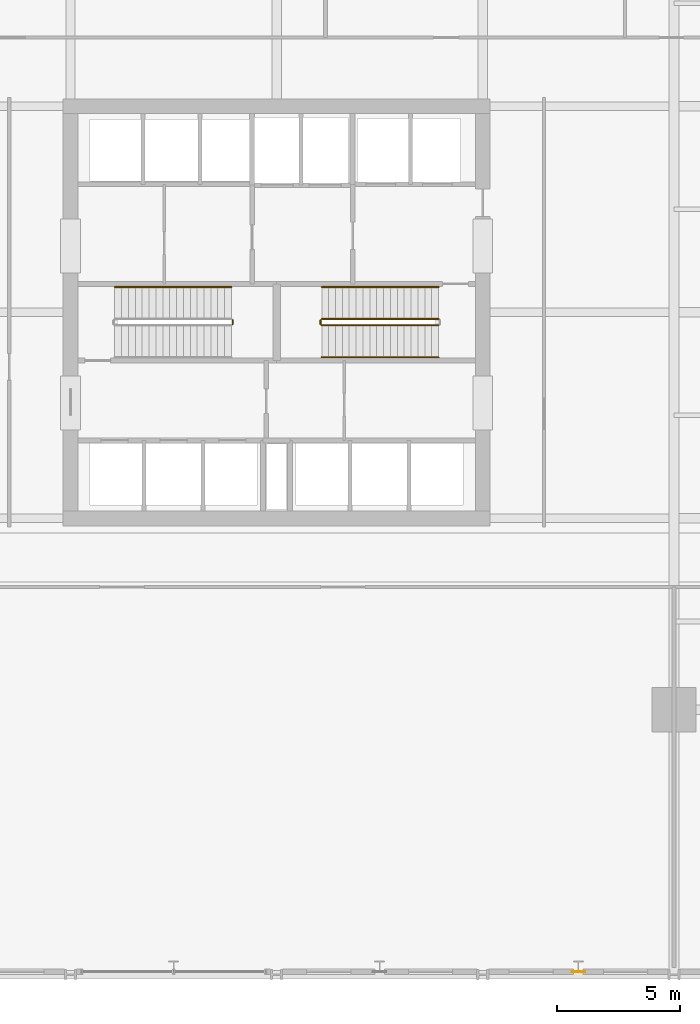
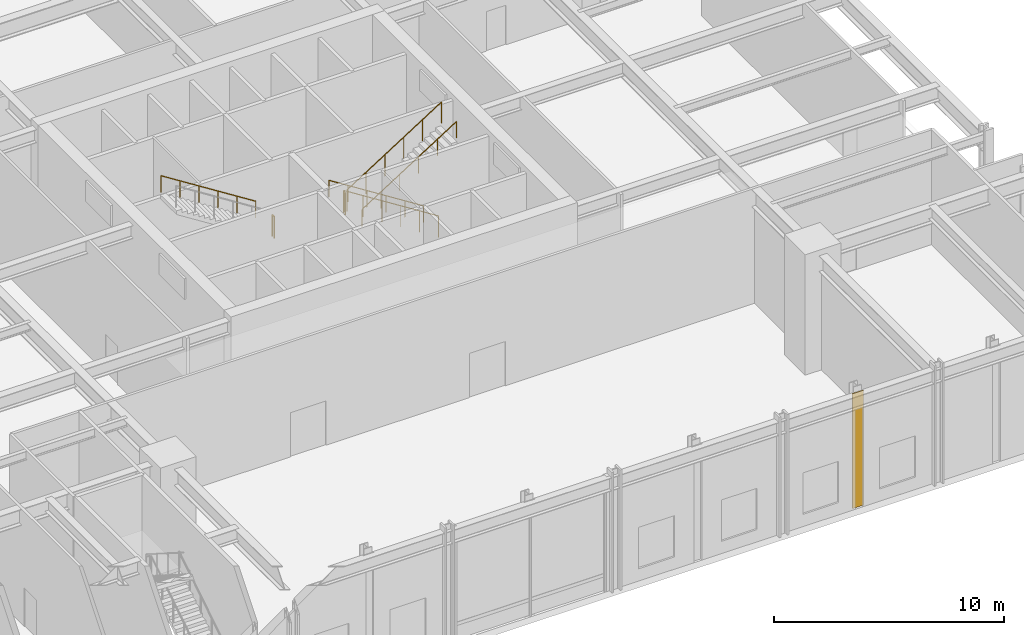
# One storey, part 16 of 20: 7 railings, 1 covering.
"""IFC4 building model written with IfcOpenShell, lengths in metres."""

from ifc_helpers import new_model, si_unit, direction, frame, origin, origin_2d, place, context, subcontext, project, spatial, rectangle, circle, extrude, material, layer, layer_set, type_object, element, save


model = new_model("IFC4")

# Units and contexts
model_context = context("Model", 3, precision=1e-05, world=origin(), true_north=direction((0.0, 1.0)))
body_context = subcontext(model_context, "Body", "Model", "MODEL_VIEW")
ifc_project = project(units=[si_unit("LENGTHUNIT", "METRE"), si_unit("AREAUNIT", "SQUARE_METRE"), si_unit("VOLUMEUNIT", "CUBIC_METRE"), si_unit("PLANEANGLEUNIT", "RADIAN"), si_unit("MASSUNIT", "GRAM", prefix="KILO")], contexts=[model_context])

# Site, building, storey
site_placement = place(None, origin())
site = spatial("IfcSite", under=ifc_project, at=site_placement, CompositionType="ELEMENT")
building_placement = place(site_placement, origin())
building = spatial("IfcBuilding", under=site, at=building_placement, Name="Drelvath Grand Hotel", CompositionType="ELEMENT")
storey_placement = place(building_placement, frame((0.0, 0.0, 10.800048828125)))
storey = spatial("IfcBuildingStorey", under=building, at=storey_placement, Name="L02", CompositionType="ELEMENT", Elevation=10.800048828125)

# Covering
ifc_material_1 = material(Name="Warm Bronze Anodised Aluminium Cladding", Category="aluminium")
ifc_layer = layer(ifc_material_1, 0.034912109375)
ifc_layer_set = layer_set([ifc_layer], Name="Warm Bronze Anodised Aluminium Cladding")
covering_type = type_object("IfcCoveringType", Name="Bronze Anodised Pier Cladding Panel 35", PredefinedType="CLADDING", material=ifc_layer_set)
covering_placement = place(storey_placement, frame((12.300048828125, 0.1201171875, 0.0), z_axis=(0.0, 0.0, 1.0), x_axis=(1.0, 0.0, 0.0)))
element("IfcCovering", 1, at=covering_placement, inside=storey, type_object=covering_type, Name="L02 Colonnade Bronze Pier Cladding S4", PredefinedType="CLADDING", context=body_context, shape_type="SweptSolid", body=[
    extrude(rectangle(XDim=0.550048828125, YDim=0.034912109375, at=origin_2d()), origin(), (0.0, 0.0, 1.0), 6.10009765625),
])

# Railings
ifc_material_2 = material(Name="Painted Steel S275", Category="steel")
railing_type_1 = type_object("IfcRailingType", Name="Core Stair Wall Handrail 900", PredefinedType="HANDRAIL", material=ifc_material_2)
for number, where, name in (
    (2, (-1.840087890625, 28.030029296875, 3.377685546875), "L02 ST-1 stair handrail 2"),
    (3, (6.60009765625, 28.030029296875, 0.177734375), "L02 ST-2 stair handrail 1"),
):
    element("IfcRailing", number, at=place(storey_placement, frame(where)), inside=storey, type_object=railing_type_1, Name=name, PredefinedType="HANDRAIL", context=body_context, shape_type="SweptSolid", body=[
        extrude(circle(Radius=0.02392578125, at=origin_2d()), frame((0.0, 0.0, 0.8759765625), z_axis=(-0.844213748262, 0.0, 0.536006667166), x_axis=(0.0, -1.0, 0.0)), (0.0, 0.0, 1.0), 5.638427734375),
        extrude(circle(Radius=0.02099609375, at=origin_2d()), origin(), (0.0, 0.0, 1.0), 0.851806640625),
        extrude(circle(Radius=0.02099609375, at=origin_2d()), frame((-0.951904296875, 0.0, 0.6044921875)), (0.0, 0.0, 1.0), 0.851806640625),
        extrude(circle(Radius=0.02099609375, at=origin_2d()), frame((-1.904052734375, 0.0, 1.208984375)), (0.0, 0.0, 1.0), 0.851806640625),
        extrude(circle(Radius=0.02099609375, at=origin_2d()), frame((-2.85595703125, 0.0, 1.813232421875)), (0.0, 0.0, 1.0), 0.851806640625),
        extrude(circle(Radius=0.02099609375, at=origin_2d()), frame((-3.80810546875, 0.0, 2.417724609375)), (0.0, 0.0, 1.0), 0.851806640625),
        extrude(circle(Radius=0.02099609375, at=origin_2d()), frame((-4.760009765625, 0.0, 3.022216796875)), (0.0, 0.0, 1.0), 0.851806640625),
    ])
railing_1_placement = place(storey_placement, frame((1.840087890625, 25.169921875, 3.377685546875)))
element("IfcRailing", 4, at=railing_1_placement, inside=storey, type_object=railing_type_1, Name="L02 ST-2 stair handrail 2", PredefinedType="HANDRAIL", context=body_context, shape_type="SweptSolid", body=[
    extrude(circle(Radius=0.02392578125, at=origin_2d()), frame((0.0, 0.0, 0.8759765625), z_axis=(0.844213748262, 0.0, 0.536006667166), x_axis=(0.0, 1.0, 0.0)), (0.0, 0.0, 1.0), 5.638427734375),
    extrude(circle(Radius=0.02099609375, at=origin_2d()), origin(), (0.0, 0.0, 1.0), 0.851806640625),
    extrude(circle(Radius=0.02099609375, at=origin_2d()), frame((0.951904296875, 0.0, 0.6044921875)), (0.0, 0.0, 1.0), 0.851806640625),
    extrude(circle(Radius=0.02099609375, at=origin_2d()), frame((1.904052734375, 0.0, 1.208984375)), (0.0, 0.0, 1.0), 0.851806640625),
    extrude(circle(Radius=0.02099609375, at=origin_2d()), frame((2.85595703125, 0.0, 1.813232421875)), (0.0, 0.0, 1.0), 0.851806640625),
    extrude(circle(Radius=0.02099609375, at=origin_2d()), frame((3.80810546875, 0.0, 2.417724609375)), (0.0, 0.0, 1.0), 0.851806640625),
    extrude(circle(Radius=0.02099609375, at=origin_2d()), frame((4.760009765625, 0.0, 3.022216796875)), (0.0, 0.0, 1.0), 0.851806640625),
])
railing_type_2 = type_object("IfcRailingType", Name="Core Stair Well Guardrail 1100", PredefinedType="GUARDRAIL", material=ifc_material_2)
railing_2_placement = place(storey_placement, frame((-1.7900390625, 26.52001953125, 3.199951171875)))
element("IfcRailing", 5, at=railing_2_placement, inside=storey, type_object=railing_type_2, Name="L02 ST-1 stair guard 2", PredefinedType="GUARDRAIL", context=body_context, shape_type="SweptSolid", body=[
    extrude(circle(Radius=0.02392578125, at=origin_2d()), frame((0.0, 0.0, 1.1259765625), z_axis=(0.0, 1.0, 0.0), x_axis=(-1.0, 0.0, 0.0)), (0.0, 0.0, 1.0), 0.159912109375),
    extrude(circle(Radius=0.02099609375, at=origin_2d()), origin(), (0.0, 0.0, 1.0), 1.101806640625),
    extrude(circle(Radius=0.02099609375, at=origin_2d()), frame((0.0, 0.159912109375, 0.0)), (0.0, 0.0, 1.0), 1.101806640625),
])
railing_3_placement = place(storey_placement, frame((6.60009765625, 26.72998046875, 0.177734375)))
element("IfcRailing", 6, at=railing_3_placement, inside=storey, type_object=railing_type_2, Name="L02 ST-2 stair guard 1", PredefinedType="GUARDRAIL", context=body_context, shape_type="SweptSolid", body=[
    extrude(circle(Radius=0.02392578125, at=origin_2d()), frame((0.0, 0.0, 1.1259765625), z_axis=(-0.844213748262, 0.0, 0.536006667166), x_axis=(0.0, -1.0, 0.0)), (0.0, 0.0, 1.0), 5.638427734375),
    extrude(circle(Radius=0.02099609375, at=origin_2d()), origin(), (0.0, 0.0, 1.0), 1.101806640625),
    extrude(circle(Radius=0.02099609375, at=origin_2d()), frame((-0.951904296875, 0.0, 0.6044921875)), (0.0, 0.0, 1.0), 1.101806640625),
    extrude(circle(Radius=0.02099609375, at=origin_2d()), frame((-1.904052734375, 0.0, 1.208984375)), (0.0, 0.0, 1.0), 1.101806640625),
    extrude(circle(Radius=0.02099609375, at=origin_2d()), frame((-2.85595703125, 0.0, 1.813232421875)), (0.0, 0.0, 1.0), 1.101806640625),
    extrude(circle(Radius=0.02099609375, at=origin_2d()), frame((-3.80810546875, 0.0, 2.417724609375)), (0.0, 0.0, 1.0), 1.101806640625),
    extrude(circle(Radius=0.02099609375, at=origin_2d()), frame((-4.760009765625, 0.0, 3.022216796875)), (0.0, 0.0, 1.0), 1.101806640625),
])
railing_4_placement = place(storey_placement, frame((1.7900390625, 26.679931640625, 3.199951171875)))
element("IfcRailing", 7, at=railing_4_placement, inside=storey, type_object=railing_type_2, Name="L02 ST-2 stair guard 2", PredefinedType="GUARDRAIL", context=body_context, shape_type="SweptSolid", body=[
    extrude(circle(Radius=0.02392578125, at=origin_2d()), frame((0.0, 0.0, 1.1259765625), z_axis=(0.0, -1.0, 0.0), x_axis=(1.0, 0.0, 0.0)), (0.0, 0.0, 1.0), 0.159912109375),
    extrude(circle(Radius=0.02099609375, at=origin_2d()), origin(), (0.0, 0.0, 1.0), 1.101806640625),
    extrude(circle(Radius=0.02099609375, at=origin_2d()), frame((0.0, -0.159912109375, 0.0)), (0.0, 0.0, 1.0), 1.101806640625),
])
railing_5_placement = place(storey_placement, frame((1.840087890625, 26.469970703125, 3.377685546875)))
element("IfcRailing", 8, at=railing_5_placement, inside=storey, type_object=railing_type_2, Name="L02 ST-2 stair guard 3", PredefinedType="GUARDRAIL", context=body_context, shape_type="SweptSolid", body=[
    extrude(circle(Radius=0.02392578125, at=origin_2d()), frame((0.0, 0.0, 1.1259765625), z_axis=(0.844213748262, 0.0, 0.536006667166), x_axis=(0.0, 1.0, 0.0)), (0.0, 0.0, 1.0), 5.638427734375),
    extrude(circle(Radius=0.02099609375, at=origin_2d()), origin(), (0.0, 0.0, 1.0), 1.101806640625),
    extrude(circle(Radius=0.02099609375, at=origin_2d()), frame((0.951904296875, 0.0, 0.6044921875)), (0.0, 0.0, 1.0), 1.101806640625),
    extrude(circle(Radius=0.02099609375, at=origin_2d()), frame((1.904052734375, 0.0, 1.208984375)), (0.0, 0.0, 1.0), 1.101806640625),
    extrude(circle(Radius=0.02099609375, at=origin_2d()), frame((2.85595703125, 0.0, 1.813232421875)), (0.0, 0.0, 1.0), 1.101806640625),
    extrude(circle(Radius=0.02099609375, at=origin_2d()), frame((3.80810546875, 0.0, 2.417724609375)), (0.0, 0.0, 1.0), 1.101806640625),
    extrude(circle(Radius=0.02099609375, at=origin_2d()), frame((4.760009765625, 0.0, 3.022216796875)), (0.0, 0.0, 1.0), 1.101806640625),
])

save(model, "model.ifc")
